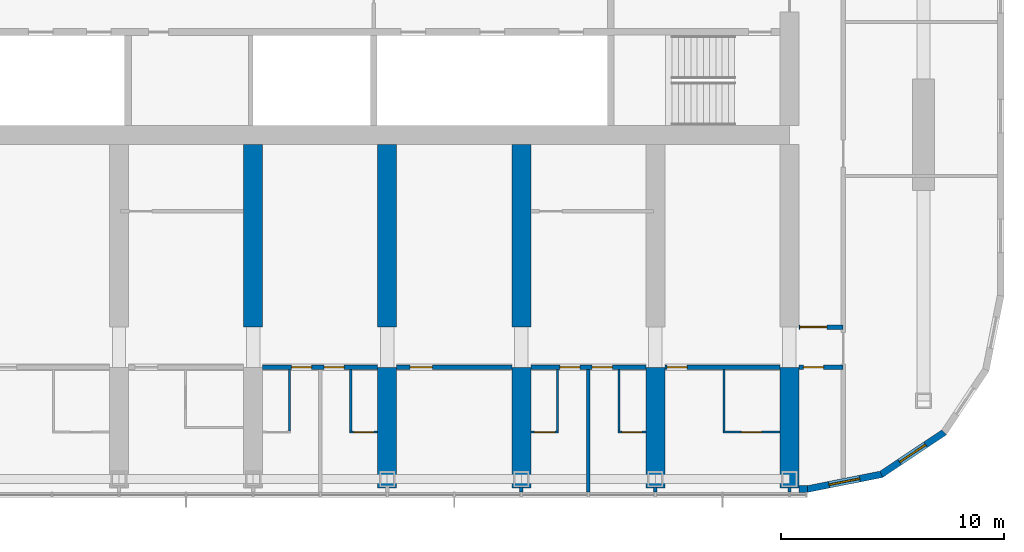
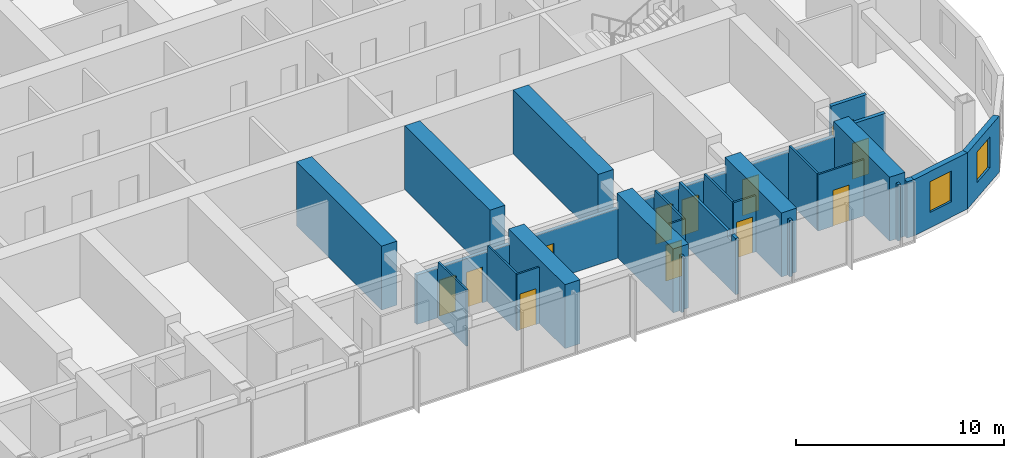
# One storey, part 12 of 23: 29 walls, 12 doors, 2 windows, 14 openings.
"""IFC4 building model written with IfcOpenShell, lengths in metres."""

from ifc_helpers import new_model, si_unit, direction, frame, frame_2d, origin, place, context, subcontext, project, spatial, polyline, rectangle, outline, extrude, material, layer, layer_set, type_object, element, fill, save


model = new_model("IFC4")

# Units and contexts
model_context = context("Model", 3, precision=1e-05, world=origin(), true_north=direction((0.0, 1.0)))
body_context = subcontext(model_context, "Body", "Model", "MODEL_VIEW")
ifc_project = project(units=[si_unit("LENGTHUNIT", "METRE"), si_unit("AREAUNIT", "SQUARE_METRE"), si_unit("VOLUMEUNIT", "CUBIC_METRE"), si_unit("PLANEANGLEUNIT", "RADIAN"), si_unit("MASSUNIT", "GRAM", prefix="KILO")], contexts=[model_context])

# Site, building, storey
site_placement = place(None, origin())
site = spatial("IfcSite", under=ifc_project, at=site_placement, CompositionType="ELEMENT")
building_placement = place(site_placement, origin())
building = spatial("IfcBuilding", under=site, at=building_placement, Name="Orbita Commons", CompositionType="ELEMENT")
storey_placement = place(building_placement, frame((0.0, 0.0, 174.85009765625)))
storey = spatial("IfcBuildingStorey", under=building, at=storey_placement, Name="L43", CompositionType="ELEMENT", Elevation=174.85009765625)

# Wall, openings, doors
ifc_material_1 = material(Name="Concrete blockwork", Category="masonry")
ifc_layer_1 = layer(ifc_material_1, 0.199951171875)
ifc_layer_set_1 = layer_set([ifc_layer_1], Name="Concrete blockwork")
wall_type_1 = type_object("IfcWallType", Name="Corridor wall 200 blockwork", PredefinedType="SOLIDWALL", material=ifc_layer_set_1)
wall_1_placement = place(storey_placement, frame((42.425048828125, 15.39990234375, 0.0), z_axis=(0.0, 0.0, 1.0), x_axis=(1.0, 0.0, 0.0)))
wall_1 = element("IfcWall", 1, at=wall_1_placement, inside=storey, type_object=wall_type_1, Name="Corridor wall 200 blockwork L43", PredefinedType="SOLIDWALL", context=body_context, shape_type="SweptSolid", body=[
    extrude(outline(polyline([(0.0, 0.0), (5.14990234375, 0.0), (5.14990234375, 2.89990234375), (0.0, 2.89990234375), (0.0, 0.0)])), frame((0.0, 0.10009765625, 0.0), z_axis=(0.0, -1.0, 0.0), x_axis=(1.0, 0.0, 0.0)), (0.0, 0.0, 1.0), 0.199951171875),
])
opening_1_placement = place(wall_1_placement, frame((1.300048828125, 0.0, 0.0)))
opening_1 = element("IfcOpeningElement", 2, at=opening_1_placement, cuts=wall_1, Name="Opening D11", PredefinedType="OPENING", context=body_context, shape_type="SweptSolid", body=[
    extrude(rectangle(XDim=0.89990234375, YDim=2.10009765625, at=frame_2d((0.449951171875, 1.050048828125))), frame((0.0, 0.10986328125, 0.0), z_axis=(0.0, -1.0, 0.0), x_axis=(1.0, 0.0, 0.0)), (0.0, 0.0, 1.0), 0.219970703125),
])
opening_2_placement = place(wall_1_placement, frame((2.75, 0.0, 0.0)))
opening_2 = element("IfcOpeningElement", 3, at=opening_2_placement, cuts=wall_1, Name="Opening D11", PredefinedType="OPENING", context=body_context, shape_type="SweptSolid", body=[
    extrude(rectangle(XDim=0.89990234375, YDim=2.10009765625, at=frame_2d((0.449951171875, 1.050048828125))), frame((0.0, 0.10986328125, 0.0), z_axis=(0.0, -1.0, 0.0), x_axis=(1.0, 0.0, 0.0)), (0.0, 0.0, 1.0), 0.219970703125),
])
ifc_material_2 = material(Name="Steel-faced fire door leaf", Category="steel")
door_type_1 = type_object("IfcDoorType", Name="Corridor door 20 min 900x2100", OperationType="SINGLE_SWING_LEFT", PredefinedType="DOOR", material=ifc_material_2)
door_1_placement = place(opening_1_placement, origin())
door_1 = element("IfcDoor", 4, at=door_1_placement, inside=storey, type_object=door_type_1, Name="Cluster bedroom L43-S08 door", OperationType="SINGLE_SWING_LEFT", OverallHeight=2.10009765625, OverallWidth=0.89990234375, PredefinedType="DOOR", context=body_context, shape_type="SweptSolid", body=[
    extrude(rectangle(XDim=0.89990234375, YDim=2.10009765625, at=frame_2d((0.449951171875, 1.050048828125))), frame((0.0, 0.02490234375, 0.0), z_axis=(0.0, -1.0, 0.0), x_axis=(1.0, 0.0, 0.0)), (0.0, 0.0, 1.0), 0.050048828125),
])
fill(opening_1, door_1)
door_2_placement = place(opening_2_placement, origin())
door_2 = element("IfcDoor", 5, at=door_2_placement, inside=storey, type_object=door_type_1, Name="Cluster bedroom L43-S09 door", OperationType="SINGLE_SWING_LEFT", OverallHeight=2.10009765625, OverallWidth=0.89990234375, PredefinedType="DOOR", context=body_context, shape_type="SweptSolid", body=[
    extrude(rectangle(XDim=0.89990234375, YDim=2.10009765625, at=frame_2d((0.449951171875, 1.050048828125))), frame((0.0, 0.02490234375, 0.0), z_axis=(0.0, -1.0, 0.0), x_axis=(1.0, 0.0, 0.0)), (0.0, 0.0, 1.0), 0.050048828125),
])
fill(opening_2, door_2)

# Wall, opening, door
wall_2_placement = place(storey_placement, frame((48.425048828125, 15.39990234375, 0.0), z_axis=(0.0, 0.0, 1.0), x_axis=(1.0, 0.0, 0.0)))
wall_2 = element("IfcWall", 6, at=wall_2_placement, inside=storey, type_object=wall_type_1, Name="Corridor wall 200 blockwork L43", PredefinedType="SOLIDWALL", context=body_context, shape_type="SweptSolid", body=[
    extrude(outline(polyline([(0.0, 0.0), (5.14990234375, 0.0), (5.14990234375, 2.89990234375), (0.0, 2.89990234375), (0.0, 0.0)])), frame((0.0, 0.10009765625, 0.0), z_axis=(0.0, -1.0, 0.0), x_axis=(1.0, 0.0, 0.0)), (0.0, 0.0, 1.0), 0.199951171875),
])
opening_3_placement = place(wall_2_placement, frame((0.60009765625, 0.0, 0.0)))
opening_3 = element("IfcOpeningElement", 7, at=opening_3_placement, cuts=wall_2, Name="Opening D06", PredefinedType="OPENING", context=body_context, shape_type="SweptSolid", body=[
    extrude(rectangle(XDim=1.0, YDim=2.10009765625, at=frame_2d((0.5, 1.050048828125))), frame((0.0, 0.10986328125, 0.0), z_axis=(0.0, -1.0, 0.0), x_axis=(1.0, 0.0, 0.0)), (0.0, 0.0, 1.0), 0.219970703125),
])
ifc_material_3 = material(Name="Steel-faced fire door leaf", Category="steel")
door_type_2 = type_object("IfcDoorType", Name="Corridor door 20 min 1000x2100", OperationType="SINGLE_SWING_LEFT", PredefinedType="DOOR", material=ifc_material_3)
door_3_placement = place(opening_3_placement, origin())
door_3 = element("IfcDoor", 8, at=door_3_placement, inside=storey, type_object=door_type_2, Name="Cluster kitchen-diner L43-S10 door", OperationType="SINGLE_SWING_LEFT", OverallHeight=2.10009765625, OverallWidth=1.0, PredefinedType="DOOR", context=body_context, shape_type="SweptSolid", body=[
    extrude(rectangle(XDim=1.0, YDim=2.10009765625, at=frame_2d((0.5, 1.050048828125))), frame((0.0, 0.02490234375, 0.0), z_axis=(0.0, -1.0, 0.0), x_axis=(1.0, 0.0, 0.0)), (0.0, 0.0, 1.0), 0.050048828125),
])
fill(opening_3, door_3)

# Wall, openings, doors
wall_3_placement = place(storey_placement, frame((54.425048828125, 15.39990234375, 0.0), z_axis=(0.0, 0.0, 1.0), x_axis=(1.0, 0.0, 0.0)))
wall_3 = element("IfcWall", 9, at=wall_3_placement, inside=storey, type_object=wall_type_1, Name="Corridor wall 200 blockwork L43", PredefinedType="SOLIDWALL", context=body_context, shape_type="SweptSolid", body=[
    extrude(outline(polyline([(0.0, 0.0), (5.14990234375, 0.0), (5.14990234375, 2.89990234375), (0.0, 2.89990234375), (0.0, 0.0)])), frame((0.0, 0.10009765625, 0.0), z_axis=(0.0, -1.0, 0.0), x_axis=(1.0, 0.0, 0.0)), (0.0, 0.0, 1.0), 0.199951171875),
])
opening_4_placement = place(wall_3_placement, frame((1.300048828125, 0.0, 0.0)))
opening_4 = element("IfcOpeningElement", 10, at=opening_4_placement, cuts=wall_3, Name="Opening D11", PredefinedType="OPENING", context=body_context, shape_type="SweptSolid", body=[
    extrude(rectangle(XDim=0.89990234375, YDim=2.10009765625, at=frame_2d((0.449951171875, 1.050048828125))), frame((0.0, 0.10986328125, 0.0), z_axis=(0.0, -1.0, 0.0), x_axis=(1.0, 0.0, 0.0)), (0.0, 0.0, 1.0), 0.219970703125),
])
opening_5_placement = place(wall_3_placement, frame((2.75, 0.0, 0.0)))
opening_5 = element("IfcOpeningElement", 11, at=opening_5_placement, cuts=wall_3, Name="Opening D11", PredefinedType="OPENING", context=body_context, shape_type="SweptSolid", body=[
    extrude(rectangle(XDim=0.89990234375, YDim=2.10009765625, at=frame_2d((0.449951171875, 1.050048828125))), frame((0.0, 0.10986328125, 0.0), z_axis=(0.0, -1.0, 0.0), x_axis=(1.0, 0.0, 0.0)), (0.0, 0.0, 1.0), 0.219970703125),
])
door_4_placement = place(opening_4_placement, origin())
door_4 = element("IfcDoor", 12, at=door_4_placement, inside=storey, type_object=door_type_1, Name="Cluster bedroom L43-S12 door", OperationType="SINGLE_SWING_LEFT", OverallHeight=2.10009765625, OverallWidth=0.89990234375, PredefinedType="DOOR", context=body_context, shape_type="SweptSolid", body=[
    extrude(rectangle(XDim=0.89990234375, YDim=2.10009765625, at=frame_2d((0.449951171875, 1.050048828125))), frame((0.0, 0.02490234375, 0.0), z_axis=(0.0, -1.0, 0.0), x_axis=(1.0, 0.0, 0.0)), (0.0, 0.0, 1.0), 0.050048828125),
])
fill(opening_4, door_4)
door_5_placement = place(opening_5_placement, origin())
door_5 = element("IfcDoor", 13, at=door_5_placement, inside=storey, type_object=door_type_1, Name="Cluster bedroom L43-S13 door", OperationType="SINGLE_SWING_LEFT", OverallHeight=2.10009765625, OverallWidth=0.89990234375, PredefinedType="DOOR", context=body_context, shape_type="SweptSolid", body=[
    extrude(rectangle(XDim=0.89990234375, YDim=2.10009765625, at=frame_2d((0.449951171875, 1.050048828125))), frame((0.0, 0.02490234375, 0.0), z_axis=(0.0, -1.0, 0.0), x_axis=(1.0, 0.0, 0.0)), (0.0, 0.0, 1.0), 0.050048828125),
])
fill(opening_5, door_5)

# Wall, opening, door
wall_4_placement = place(storey_placement, frame((60.425048828125, 15.39990234375, 0.0), z_axis=(0.0, 0.0, 1.0), x_axis=(1.0, 0.0, 0.0)))
wall_4 = element("IfcWall", 14, at=wall_4_placement, inside=storey, type_object=wall_type_1, Name="Corridor wall 200 blockwork L43", PredefinedType="SOLIDWALL", context=body_context, shape_type="SweptSolid", body=[
    extrude(outline(polyline([(0.0, 0.0), (5.14990234375, 0.0), (5.14990234375, 2.89990234375), (0.0, 2.89990234375), (0.0, 0.0)])), frame((0.0, 0.10009765625, 0.0), z_axis=(0.0, -1.0, 0.0), x_axis=(1.0, 0.0, 0.0)), (0.0, 0.0, 1.0), 0.199951171875),
])
opening_6_placement = place(wall_4_placement, frame((0.10009765625, 0.0, 0.0)))
opening_6 = element("IfcOpeningElement", 15, at=opening_6_placement, cuts=wall_4, Name="Opening D11", PredefinedType="OPENING", context=body_context, shape_type="SweptSolid", body=[
    extrude(rectangle(XDim=0.89990234375, YDim=2.10009765625, at=frame_2d((0.449951171875, 1.050048828125))), frame((0.0, 0.10986328125, 0.0), z_axis=(0.0, -1.0, 0.0), x_axis=(1.0, 0.0, 0.0)), (0.0, 0.0, 1.0), 0.219970703125),
])
door_6_placement = place(opening_6_placement, origin())
door_6 = element("IfcDoor", 16, at=door_6_placement, inside=storey, type_object=door_type_1, Name="Twin room L43-S14 door", OperationType="SINGLE_SWING_LEFT", OverallHeight=2.10009765625, OverallWidth=0.89990234375, PredefinedType="DOOR", context=body_context, shape_type="SweptSolid", body=[
    extrude(rectangle(XDim=0.89990234375, YDim=2.10009765625, at=frame_2d((0.449951171875, 1.050048828125))), frame((0.0, 0.02490234375, 0.0), z_axis=(0.0, -1.0, 0.0), x_axis=(1.0, 0.0, 0.0)), (0.0, 0.0, 1.0), 0.050048828125),
])
fill(opening_6, door_6)

wall_5_placement = place(storey_placement, frame((66.425048828125, 15.39990234375, 0.0), z_axis=(0.0, 0.0, 1.0), x_axis=(1.0, 0.0, 0.0)))
wall_5 = element("IfcWall", 17, at=wall_5_placement, inside=storey, type_object=wall_type_1, Name="Corridor wall 200 blockwork L43", PredefinedType="SOLIDWALL", context=body_context, shape_type="SweptSolid", body=[
    extrude(rectangle(XDim=1.974853515625, YDim=0.199951171875, at=frame_2d((0.9873046875, 0.0))), origin(), (0.0, 0.0, 1.0), 3.2998046875),
])
opening_7_placement = place(wall_5_placement, frame((0.199951171875, 0.0, 0.0)))
opening_7 = element("IfcOpeningElement", 18, at=opening_7_placement, cuts=wall_5, Name="Opening D05", PredefinedType="OPENING", context=body_context, shape_type="SweptSolid", body=[
    extrude(rectangle(XDim=0.89990234375, YDim=2.10009765625, at=frame_2d((0.449951171875, 1.050048828125))), frame((0.0, 0.10986328125, 0.0), z_axis=(0.0, -1.0, 0.0), x_axis=(1.0, 0.0, 0.0)), (0.0, 0.0, 1.0), 0.219970703125),
])
ifc_material_4 = material(Name="Steel-faced fire door leaf", Category="steel")
door_type_3 = type_object("IfcDoorType", Name="Service door 20 min 900x2100", OperationType="SINGLE_SWING_LEFT", PredefinedType="DOOR", material=ifc_material_4)
door_7_placement = place(opening_7_placement, origin())
door_7 = element("IfcDoor", 19, at=door_7_placement, inside=storey, type_object=door_type_3, Name="Linen store L43-KES door", OperationType="SINGLE_SWING_LEFT", OverallHeight=2.10009765625, OverallWidth=0.89990234375, PredefinedType="DOOR", context=body_context, shape_type="SweptSolid", body=[
    extrude(rectangle(XDim=0.89990234375, YDim=2.10009765625, at=frame_2d((0.449951171875, 1.050048828125))), frame((0.0, 0.02490234375, 0.0), z_axis=(0.0, -1.0, 0.0), x_axis=(1.0, 0.0, 0.0)), (0.0, 0.0, 1.0), 0.050048828125),
])
fill(opening_7, door_7)

ifc_material_5 = material(Name="Hollow concrete block 200", Category="concrete")
ifc_layer_2 = layer(ifc_material_5, 0.199951171875)
ifc_layer_set_2 = layer_set([ifc_layer_2], Name="Hollow concrete block 200")
wall_type_2 = type_object("IfcWallType", Name="Corridor wall 200 hollow concrete block", PredefinedType="SOLIDWALL", material=ifc_layer_set_2)
wall_6_placement = place(storey_placement, frame((66.425048828125, 17.199951171875, 0.0), z_axis=(0.0, 0.0, 1.0), x_axis=(1.0, 0.0, 0.0)))
wall_6 = element("IfcWall", 20, at=wall_6_placement, inside=storey, type_object=wall_type_2, Name="Corridor wall 200 hollow concrete block L43", PredefinedType="SOLIDWALL", context=body_context, shape_type="SweptSolid", body=[
    extrude(rectangle(XDim=1.974853515625, YDim=0.199951171875, at=frame_2d((0.9873046875, 0.0))), origin(), (0.0, 0.0, 1.0), 3.2998046875),
])
opening_8_placement = place(wall_6_placement, frame((0.050048828125, 0.0, 0.0)))
opening_8 = element("IfcOpeningElement", 21, at=opening_8_placement, cuts=wall_6, Name="Opening D12", PredefinedType="OPENING", context=body_context, shape_type="SweptSolid", body=[
    extrude(rectangle(XDim=1.199951171875, YDim=2.10009765625, at=frame_2d((0.60009765625, 1.050048828125))), frame((0.0, 0.10986328125, 0.0), z_axis=(0.0, -1.0, 0.0), x_axis=(1.0, 0.0, 0.0)), (0.0, 0.0, 1.0), 0.219970703125),
])
ifc_material_6 = material(Name="Steel-faced fire door leaf", Category="steel")
door_type_4 = type_object("IfcDoorType", Name="Double corridor door 20 min 1200x2100", OperationType="DOUBLE_DOOR_SINGLE_SWING", PredefinedType="DOOR", material=ifc_material_6)
door_8_placement = place(opening_8_placement, origin())
door_8 = element("IfcDoor", 22, at=door_8_placement, inside=storey, type_object=door_type_4, Name="Cross corridor doors", OperationType="DOUBLE_DOOR_SINGLE_SWING", OverallHeight=2.10009765625, OverallWidth=1.199951171875, PredefinedType="DOOR", context=body_context, shape_type="SweptSolid", body=[
    extrude(rectangle(XDim=1.199951171875, YDim=2.10009765625, at=frame_2d((0.60009765625, 1.050048828125))), frame((0.0, 0.02490234375, 0.0), z_axis=(0.0, -1.0, 0.0), x_axis=(1.0, 0.0, 0.0)), (0.0, 0.0, 1.0), 0.050048828125),
])
fill(opening_8, door_8)

# Walls
ifc_material_7 = material(Name="Concrete C50/60", Category="concrete")
ifc_layer_3 = layer(ifc_material_7, 0.85009765625)
ifc_layer_set_3 = layer_set([ifc_layer_3], Name="Concrete C50/60")
wall_type_3 = type_object("IfcWallType", Name="Cross wall 850 C50/60", PredefinedType="SHEAR", material=ifc_layer_set_3)
wall_7_placement = place(storey_placement, frame((42.0, 17.199951171875, 0.0), z_axis=(0.0, 0.0, 1.0), x_axis=(0.0, 1.0, 0.0)))
element("IfcWall", 23, at=wall_7_placement, inside=storey, type_object=wall_type_3, Name="Cross wall 8 south inner L43", PredefinedType="SHEAR", context=body_context, shape_type="SweptSolid", body=[
    extrude(rectangle(XDim=8.175048828125, YDim=0.85009765625, at=frame_2d((4.08740234375, 0.0))), origin(), (0.0, 0.0, 1.0), 3.75),
])
wall_8_placement = place(storey_placement, frame((48.0, 10.0, 0.0), z_axis=(0.0, 0.0, 1.0), x_axis=(0.0, 1.0, 0.0)))
element("IfcWall", 24, at=wall_8_placement, inside=storey, type_object=wall_type_3, Name="Cross wall 9 south outer L43", PredefinedType="SHEAR", context=body_context, shape_type="SweptSolid", body=[
    extrude(rectangle(XDim=5.39990234375, YDim=0.85009765625, at=frame_2d((2.699951171875, 0.0))), origin(), (0.0, 0.0, 1.0), 3.75),
])
wall_9_placement = place(storey_placement, frame((48.0, 17.199951171875, 0.0), z_axis=(0.0, 0.0, 1.0), x_axis=(0.0, 1.0, 0.0)))
element("IfcWall", 25, at=wall_9_placement, inside=storey, type_object=wall_type_3, Name="Cross wall 9 south inner L43", PredefinedType="SHEAR", context=body_context, shape_type="SweptSolid", body=[
    extrude(rectangle(XDim=8.175048828125, YDim=0.85009765625, at=frame_2d((4.08740234375, 0.0))), origin(), (0.0, 0.0, 1.0), 3.75),
])
wall_10_placement = place(storey_placement, frame((54.0, 10.0, 0.0), z_axis=(0.0, 0.0, 1.0), x_axis=(0.0, 1.0, 0.0)))
element("IfcWall", 26, at=wall_10_placement, inside=storey, type_object=wall_type_3, Name="Cross wall 10 south outer L43", PredefinedType="SHEAR", context=body_context, shape_type="SweptSolid", body=[
    extrude(rectangle(XDim=5.39990234375, YDim=0.85009765625, at=frame_2d((2.699951171875, 0.0))), origin(), (0.0, 0.0, 1.0), 3.75),
])
wall_11_placement = place(storey_placement, frame((54.0, 17.199951171875, 0.0), z_axis=(0.0, 0.0, 1.0), x_axis=(0.0, 1.0, 0.0)))
element("IfcWall", 27, at=wall_11_placement, inside=storey, type_object=wall_type_3, Name="Cross wall 10 south inner L43", PredefinedType="SHEAR", context=body_context, shape_type="SweptSolid", body=[
    extrude(rectangle(XDim=8.175048828125, YDim=0.85009765625, at=frame_2d((4.08740234375, 0.0))), origin(), (0.0, 0.0, 1.0), 3.75),
])
for number, where, z_axis, x_axis, name in (
    (28, (60.0, 10.0, 0.0), (0.0, 0.0, 1.0), (0.0, 1.0, 0.0), "Cross wall 11 south outer L43"),
    (29, (66.0, 10.0, 0.0), (0.0, 0.0, 1.0), (0.0, 1.0, 0.0), "Cross wall 12 south outer L43"),
):
    element("IfcWall", number, at=place(storey_placement, frame(where, z_axis=z_axis, x_axis=x_axis)), inside=storey, type_object=wall_type_3, Name=name, PredefinedType="SHEAR", context=body_context, shape_type="SweptSolid", body=[
        extrude(rectangle(XDim=5.39990234375, YDim=0.85009765625, at=frame_2d((2.699951171875, 0.0))), origin(), (0.0, 0.0, 1.0), 3.75),
    ])
ifc_material_8 = material(Name="Moisture-resistant plasterboard on steel studs", Category="steel")
ifc_layer_4 = layer(ifc_material_8, 0.10009765625)
ifc_layer_set_4 = layer_set([ifc_layer_4], Name="Moisture-resistant plasterboard on steel studs")
wall_type_4 = type_object("IfcWallType", Name="En-suite partition 100", PredefinedType="PARTITIONING", material=ifc_layer_set_4)
wall_12_placement = place(storey_placement, frame((43.625, 12.550048828125, 0.0), z_axis=(0.0, 0.0, 1.0), x_axis=(0.0, 1.0, 0.0)))
element("IfcWall", 30, at=wall_12_placement, inside=storey, type_object=wall_type_4, Name="En-suite partition 100 L43", PredefinedType="PARTITIONING", context=body_context, shape_type="SweptSolid", body=[
    extrude(outline(polyline([(0.0, 0.0), (2.75, 0.0), (2.75, 2.89990234375), (2.701904296875, 2.89990234375), (2.699951171875, 3.2998046875), (0.0, 3.2998046875), (0.0, 0.0)])), frame((0.0, 0.050048828125, 0.0), z_axis=(0.0, -1.0, 0.0), x_axis=(1.0, 0.0, 0.0)), (0.0, 0.0, 1.0), 0.10009765625),
])

# Wall, opening, door
wall_13_placement = place(storey_placement, frame((47.574951171875, 12.5, 0.0), z_axis=(0.0, 0.0, 1.0), x_axis=(-1.0, 0.0, 0.0)))
wall_13 = element("IfcWall", 31, at=wall_13_placement, inside=storey, type_object=wall_type_4, Name="En-suite partition 100 L43", PredefinedType="PARTITIONING", context=body_context, shape_type="SweptSolid", body=[
    extrude(rectangle(XDim=1.25, YDim=0.10009765625, at=frame_2d((0.625, 0.0))), origin(), (0.0, 0.0, 1.0), 3.2998046875),
])
opening_9_placement = place(wall_13_placement, frame((0.175048828125, 0.0, 0.0)))
opening_9 = element("IfcOpeningElement", 32, at=opening_9_placement, cuts=wall_13, Name="Opening D09", PredefinedType="OPENING", context=body_context, shape_type="SweptSolid", body=[
    extrude(rectangle(XDim=0.89990234375, YDim=2.10009765625, at=frame_2d((0.449951171875, 1.050048828125))), frame((0.0, 0.06005859375, 0.0), z_axis=(0.0, -1.0, 0.0), x_axis=(1.0, 0.0, 0.0)), (0.0, 0.0, 1.0), 0.1201171875),
])
ifc_material_9 = material(Name="Laminated timber door leaf", Category="wood")
door_type_5 = type_object("IfcDoorType", Name="En-suite door 900x2100", OperationType="SINGLE_SWING_RIGHT", PredefinedType="DOOR", material=ifc_material_9)
door_9_placement = place(opening_9_placement, origin())
door_9 = element("IfcDoor", 33, at=door_9_placement, inside=storey, type_object=door_type_5, Name="En-suite L43-S09 door", OperationType="SINGLE_SWING_RIGHT", OverallHeight=2.10009765625, OverallWidth=0.89990234375, PredefinedType="DOOR", context=body_context, shape_type="SweptSolid", body=[
    extrude(rectangle(XDim=0.89990234375, YDim=2.10009765625, at=frame_2d((0.449951171875, 1.050048828125))), frame((0.0, 0.02490234375, 0.0), z_axis=(0.0, -1.0, 0.0), x_axis=(1.0, 0.0, 0.0)), (0.0, 0.0, 1.0), 0.050048828125),
])
fill(opening_9, door_9)

# Wall
wall_14_placement = place(storey_placement, frame((46.375, 12.550048828125, 0.0), z_axis=(0.0, 0.0, 1.0), x_axis=(0.0, 1.0, 0.0)))
element("IfcWall", 34, at=wall_14_placement, inside=storey, type_object=wall_type_4, Name="En-suite partition 100 L43", PredefinedType="PARTITIONING", context=body_context, shape_type="SweptSolid", body=[
    extrude(outline(polyline([(0.0, 0.0), (2.75, 0.0), (2.75, 2.89990234375), (2.701904296875, 2.89990234375), (2.699951171875, 3.2998046875), (0.0, 3.2998046875), (0.0, 0.0)])), frame((0.0, 0.050048828125, 0.0), z_axis=(0.0, -1.0, 0.0), x_axis=(1.0, 0.0, 0.0)), (0.0, 0.0, 1.0), 0.10009765625),
])

# Wall, opening, door
wall_15_placement = place(storey_placement, frame((55.675048828125, 12.5, 0.0), z_axis=(0.0, 0.0, 1.0), x_axis=(-1.0, 0.0, 0.0)))
wall_15 = element("IfcWall", 35, at=wall_15_placement, inside=storey, type_object=wall_type_4, Name="En-suite partition 100 L43", PredefinedType="PARTITIONING", context=body_context, shape_type="SweptSolid", body=[
    extrude(rectangle(XDim=1.25, YDim=0.10009765625, at=frame_2d((0.625, 0.0))), origin(), (0.0, 0.0, 1.0), 3.2998046875),
])
opening_10_placement = place(wall_15_placement, frame((0.175048828125, 0.0, 0.0)))
opening_10 = element("IfcOpeningElement", 36, at=opening_10_placement, cuts=wall_15, Name="Opening D09", PredefinedType="OPENING", context=body_context, shape_type="SweptSolid", body=[
    extrude(rectangle(XDim=0.89990234375, YDim=2.10009765625, at=frame_2d((0.449951171875, 1.050048828125))), frame((0.0, 0.06005859375, 0.0), z_axis=(0.0, -1.0, 0.0), x_axis=(1.0, 0.0, 0.0)), (0.0, 0.0, 1.0), 0.1201171875),
])
door_10_placement = place(opening_10_placement, origin())
door_10 = element("IfcDoor", 37, at=door_10_placement, inside=storey, type_object=door_type_5, Name="En-suite L43-S12 door", OperationType="SINGLE_SWING_RIGHT", OverallHeight=2.10009765625, OverallWidth=0.89990234375, PredefinedType="DOOR", context=body_context, shape_type="SweptSolid", body=[
    extrude(rectangle(XDim=0.89990234375, YDim=2.10009765625, at=frame_2d((0.449951171875, 1.050048828125))), frame((0.0, 0.02490234375, 0.0), z_axis=(0.0, -1.0, 0.0), x_axis=(1.0, 0.0, 0.0)), (0.0, 0.0, 1.0), 0.050048828125),
])
fill(opening_10, door_10)

# Wall
wall_16_placement = place(storey_placement, frame((55.625, 12.550048828125, 0.0), z_axis=(0.0, 0.0, 1.0), x_axis=(0.0, 1.0, 0.0)))
element("IfcWall", 38, at=wall_16_placement, inside=storey, type_object=wall_type_4, Name="En-suite partition 100 L43", PredefinedType="PARTITIONING", context=body_context, shape_type="SweptSolid", body=[
    extrude(outline(polyline([(0.0, 0.0), (2.75, 0.0), (2.75, 2.89990234375), (2.701904296875, 2.89990234375), (2.699951171875, 3.2998046875), (0.0, 3.2998046875), (0.0, 0.0)])), frame((0.0, 0.050048828125, 0.0), z_axis=(0.0, -1.0, 0.0), x_axis=(1.0, 0.0, 0.0)), (0.0, 0.0, 1.0), 0.10009765625),
])

# Wall, opening, door
wall_17_placement = place(storey_placement, frame((59.574951171875, 12.5, 0.0), z_axis=(0.0, 0.0, 1.0), x_axis=(-1.0, 0.0, 0.0)))
wall_17 = element("IfcWall", 39, at=wall_17_placement, inside=storey, type_object=wall_type_4, Name="En-suite partition 100 L43", PredefinedType="PARTITIONING", context=body_context, shape_type="SweptSolid", body=[
    extrude(rectangle(XDim=1.25, YDim=0.10009765625, at=frame_2d((0.625, 0.0))), origin(), (0.0, 0.0, 1.0), 3.2998046875),
])
opening_11_placement = place(wall_17_placement, frame((0.175048828125, 0.0, 0.0)))
opening_11 = element("IfcOpeningElement", 40, at=opening_11_placement, cuts=wall_17, Name="Opening D09", PredefinedType="OPENING", context=body_context, shape_type="SweptSolid", body=[
    extrude(rectangle(XDim=0.89990234375, YDim=2.10009765625, at=frame_2d((0.449951171875, 1.050048828125))), frame((0.0, 0.06005859375, 0.0), z_axis=(0.0, -1.0, 0.0), x_axis=(1.0, 0.0, 0.0)), (0.0, 0.0, 1.0), 0.1201171875),
])
door_11_placement = place(opening_11_placement, origin())
door_11 = element("IfcDoor", 41, at=door_11_placement, inside=storey, type_object=door_type_5, Name="En-suite L43-S13 door", OperationType="SINGLE_SWING_RIGHT", OverallHeight=2.10009765625, OverallWidth=0.89990234375, PredefinedType="DOOR", context=body_context, shape_type="SweptSolid", body=[
    extrude(rectangle(XDim=0.89990234375, YDim=2.10009765625, at=frame_2d((0.449951171875, 1.050048828125))), frame((0.0, 0.02490234375, 0.0), z_axis=(0.0, -1.0, 0.0), x_axis=(1.0, 0.0, 0.0)), (0.0, 0.0, 1.0), 0.050048828125),
])
fill(opening_11, door_11)

# Wall
wall_18_placement = place(storey_placement, frame((58.375, 12.550048828125, 0.0), z_axis=(0.0, 0.0, 1.0), x_axis=(0.0, 1.0, 0.0)))
element("IfcWall", 42, at=wall_18_placement, inside=storey, type_object=wall_type_4, Name="En-suite partition 100 L43", PredefinedType="PARTITIONING", context=body_context, shape_type="SweptSolid", body=[
    extrude(outline(polyline([(0.0, 0.0), (2.75, 0.0), (2.75, 2.89990234375), (2.701904296875, 2.89990234375), (2.699951171875, 3.2998046875), (0.0, 3.2998046875), (0.0, 0.0)])), frame((0.0, 0.050048828125, 0.0), z_axis=(0.0, -1.0, 0.0), x_axis=(1.0, 0.0, 0.0)), (0.0, 0.0, 1.0), 0.10009765625),
])

# Wall, opening, door
wall_19_placement = place(storey_placement, frame((65.574951171875, 12.5, 0.0), z_axis=(0.0, 0.0, 1.0), x_axis=(-1.0, 0.0, 0.0)))
wall_19 = element("IfcWall", 43, at=wall_19_placement, inside=storey, type_object=wall_type_4, Name="En-suite partition 100 L43", PredefinedType="PARTITIONING", context=body_context, shape_type="SweptSolid", body=[
    extrude(rectangle(XDim=2.550048828125, YDim=0.10009765625, at=frame_2d((1.27490234375, 0.0))), origin(), (0.0, 0.0, 1.0), 3.2998046875),
])
opening_12_placement = place(wall_19_placement, frame((0.824951171875, 0.0, 0.0)))
opening_12 = element("IfcOpeningElement", 44, at=opening_12_placement, cuts=wall_19, Name="Opening D09", PredefinedType="OPENING", context=body_context, shape_type="SweptSolid", body=[
    extrude(rectangle(XDim=0.89990234375, YDim=2.10009765625, at=frame_2d((0.449951171875, 1.050048828125))), frame((0.0, 0.06005859375, 0.0), z_axis=(0.0, -1.0, 0.0), x_axis=(1.0, 0.0, 0.0)), (0.0, 0.0, 1.0), 0.1201171875),
])
door_12_placement = place(opening_12_placement, origin())
door_12 = element("IfcDoor", 45, at=door_12_placement, inside=storey, type_object=door_type_5, Name="En-suite L43-S14 door", OperationType="SINGLE_SWING_RIGHT", OverallHeight=2.10009765625, OverallWidth=0.89990234375, PredefinedType="DOOR", context=body_context, shape_type="SweptSolid", body=[
    extrude(rectangle(XDim=0.89990234375, YDim=2.10009765625, at=frame_2d((0.449951171875, 1.050048828125))), frame((0.0, 0.02490234375, 0.0), z_axis=(0.0, -1.0, 0.0), x_axis=(1.0, 0.0, 0.0)), (0.0, 0.0, 1.0), 0.050048828125),
])
fill(opening_12, door_12)

# Walls
wall_20_placement = place(storey_placement, frame((63.074951171875, 12.550048828125, 0.0), z_axis=(0.0, 0.0, 1.0), x_axis=(0.0, 1.0, 0.0)))
element("IfcWall", 46, at=wall_20_placement, inside=storey, type_object=wall_type_4, Name="En-suite partition 100 L43", PredefinedType="PARTITIONING", context=body_context, shape_type="SweptSolid", body=[
    extrude(outline(polyline([(0.0, 0.0), (2.75, 0.0), (2.75, 2.89990234375), (2.701904296875, 2.89990234375), (2.699951171875, 3.2998046875), (0.0, 3.2998046875), (0.0, 0.0)])), frame((0.0, 0.050048828125, 0.0), z_axis=(0.0, -1.0, 0.0), x_axis=(1.0, 0.0, 0.0)), (0.0, 0.0, 1.0), 0.10009765625),
])
ifc_material_10 = material(Name="Gypsum plasterboard on steel studs", Category="steel")
ifc_layer_5 = layer(ifc_material_10, 0.14990234375)
ifc_layer_set_5 = layer_set([ifc_layer_5], Name="Gypsum plasterboard on steel studs")
wall_type_5 = type_object("IfcWallType", Name="Partition 150 plasterboard", PredefinedType="PARTITIONING", material=ifc_layer_set_5)
for number, where, z_axis, x_axis, name in (
    (47, (54.0, 10.050048828125, 0.0), (0.0, 0.0, 1.0), (0.0, -1.0, 0.0), "Partition 150 plasterboard L43"),
    (48, (60.0, 10.050048828125, 0.0), (0.0, 0.0, 1.0), (0.0, -1.0, 0.0), "Partition 150 plasterboard L43"),
    (49, (66.0, 10.050048828125, 0.0), (0.0, 0.0, 1.0), (0.0, -1.0, 0.0), "Partition 150 plasterboard L43"),
):
    element("IfcWall", number, at=place(storey_placement, frame(where, z_axis=z_axis, x_axis=x_axis)), inside=storey, type_object=wall_type_5, Name=name, PredefinedType="PARTITIONING", context=body_context, shape_type="SweptSolid", body=[
        extrude(rectangle(XDim=0.239990234375, YDim=0.14990234375, at=frame_2d((0.1201171875, 0.0))), origin(), (0.0, 0.0, 1.0), 3.2998046875),
    ])
ifc_material_11 = material(Name="Gypsum plasterboard on steel studs", Category="steel")
ifc_layer_6 = layer(ifc_material_11, 0.14990234375)
ifc_layer_set_6 = layer_set([ifc_layer_6], Name="Gypsum plasterboard on steel studs")
wall_type_6 = type_object("IfcWallType", Name="Party wall 150 plasterboard", PredefinedType="PARTITIONING", material=ifc_layer_set_6)
wall_21_placement = place(storey_placement, frame((57.0, 9.81005859375, 0.0), z_axis=(0.0, 0.0, 1.0), x_axis=(0.0, 1.0, 0.0)))
element("IfcWall", 50, at=wall_21_placement, inside=storey, type_object=wall_type_6, Name="Party wall 150 plasterboard L43", PredefinedType="PARTITIONING", context=body_context, shape_type="SweptSolid", body=[
    extrude(outline(polyline([(0.0, 0.0), (5.489990234375, 0.0), (5.489990234375, 2.89990234375), (5.44189453125, 2.89990234375), (5.43994140625, 3.2998046875), (0.7919921875, 3.2998046875), (0.7900390625, 2.89990234375), (0.39208984375, 2.89990234375), (0.389892578125, 3.2998046875), (0.0, 3.2998046875), (0.0, 0.0)])), frame((0.0, 0.074951171875, 0.0), z_axis=(0.0, -1.0, 0.0), x_axis=(1.0, 0.0, 0.0)), (0.0, 0.0, 1.0), 0.14990234375),
])

# Wall, opening, window
ifc_material_12 = material(Name="Precast concrete C40/50, white board-marked finish", Category="concrete")
ifc_layer_7 = layer(ifc_material_12, 0.300048828125)
ifc_layer_set_7 = layer_set([ifc_layer_7], Name="Precast concrete C40/50, white board-marked finish")
wall_type_7 = type_object("IfcWallType", Name="Precast concrete end shield 300", PredefinedType="SOLIDWALL", material=ifc_layer_set_7)
wall_22_placement = place(storey_placement, frame((66.800048828125, 9.949951171875, 0.0), z_axis=(0.0, 0.0, 1.0), x_axis=(0.98078325777, 0.195100490205, 0.0)))
wall_22 = element("IfcWall", 51, at=wall_22_placement, inside=storey, type_object=wall_type_7, Name="End shield SE chord 1 L43", PredefinedType="SOLIDWALL", context=body_context, shape_type="SweptSolid", body=[
    extrude(outline(polyline([(-0.02978515625, -0.14990234375), (3.40478515625, -0.14990234375), (3.34521484375, 0.14990234375), (0.02978515625, 0.14990234375), (-0.02978515625, -0.14990234375)])), origin(), (0.0, 0.0, 1.0), 3.2998046875),
])
opening_13_placement = place(wall_22_placement, frame((0.987548828125, 0.0, 0.89990234375)))
opening_13 = element("IfcOpeningElement", 52, at=opening_13_placement, cuts=wall_22, Name="Opening W02", PredefinedType="OPENING", context=body_context, shape_type="SweptSolid", body=[
    extrude(rectangle(XDim=1.39990234375, YDim=1.800048828125, at=frame_2d((0.699951171875, 0.89990234375))), frame((0.0, 0.159912109375, 0.0), z_axis=(0.0, -1.0, 0.0), x_axis=(1.0, 0.0, 0.0)), (0.0, 0.0, 1.0), 0.320068359375),
])
ifc_material_13 = material(Name="Aluminium frame, clear double glazing", Category="aluminium")
window_type = type_object("IfcWindowType", Name="Deep-set window 1400x1800", PartitioningType="SINGLE_PANEL", PredefinedType="WINDOW", material=ifc_material_13)
window_1_placement = place(opening_13_placement, origin())
window_1 = element("IfcWindow", 53, at=window_1_placement, inside=storey, type_object=window_type, Name="Window L43-SE0", OverallHeight=1.800048828125, OverallWidth=1.39990234375, PartitioningType="SINGLE_PANEL", PredefinedType="WINDOW", context=body_context, shape_type="SweptSolid", body=[
    extrude(rectangle(XDim=1.39990234375, YDim=1.800048828125, at=frame_2d((0.699951171875, 0.89990234375))), frame((0.0, 0.030029296875, 0.0), z_axis=(0.0, -1.0, 0.0), x_axis=(1.0, 0.0, 0.0)), (0.0, 0.0, 1.0), 0.06005859375),
])
fill(opening_13, window_1)

wall_23_placement = place(storey_placement, frame((70.110107421875, 10.6083984375, 0.0), z_axis=(0.0, 0.0, 1.0), x_axis=(0.831493450887, 0.555534554399, 0.0)))
wall_23 = element("IfcWall", 54, at=wall_23_placement, inside=storey, type_object=wall_type_7, Name="End shield SE chord 2 L43", PredefinedType="SOLIDWALL", context=body_context, shape_type="SweptSolid", body=[
    extrude(outline(polyline([(-0.02978515625, -0.14990234375), (3.405029296875, -0.14990234375), (3.345458984375, 0.14990234375), (0.02978515625, 0.14990234375), (-0.02978515625, -0.14990234375)])), origin(), (0.0, 0.0, 1.0), 3.2998046875),
])
opening_14_placement = place(wall_23_placement, frame((0.987548828125, 0.0, 0.89990234375)))
opening_14 = element("IfcOpeningElement", 55, at=opening_14_placement, cuts=wall_23, Name="Opening W02", PredefinedType="OPENING", context=body_context, shape_type="SweptSolid", body=[
    extrude(rectangle(XDim=1.39990234375, YDim=1.800048828125, at=frame_2d((0.699951171875, 0.89990234375))), frame((0.0, 0.159912109375, 0.0), z_axis=(0.0, -1.0, 0.0), x_axis=(1.0, 0.0, 0.0)), (0.0, 0.0, 1.0), 0.320068359375),
])
window_2_placement = place(opening_14_placement, origin())
window_2 = element("IfcWindow", 56, at=window_2_placement, inside=storey, type_object=window_type, Name="Window L43-SE1", OverallHeight=1.800048828125, OverallWidth=1.39990234375, PartitioningType="SINGLE_PANEL", PredefinedType="WINDOW", context=body_context, shape_type="SweptSolid", body=[
    extrude(rectangle(XDim=1.39990234375, YDim=1.800048828125, at=frame_2d((0.699951171875, 0.89990234375))), frame((0.0, 0.030029296875, 0.0), z_axis=(0.0, -1.0, 0.0), x_axis=(1.0, 0.0, 0.0)), (0.0, 0.0, 1.0), 0.06005859375),
])
fill(opening_14, window_2)

# Wall
wall_24_placement = place(storey_placement, frame((66.800048828125, 9.949951171875, 0.0), z_axis=(0.0, 0.0, 1.0), x_axis=(-1.0, 0.0, 0.0)))
element("IfcWall", 57, at=wall_24_placement, inside=storey, type_object=wall_type_7, Name="End shield SE closer L43", PredefinedType="SOLIDWALL", context=body_context, shape_type="SweptSolid", body=[
    extrude(rectangle(XDim=0.375, YDim=0.300048828125, at=frame_2d((0.1875, 0.0))), origin(), (0.0, 0.0, 1.0), 3.2998046875),
])

save(model, "model.ifc")
